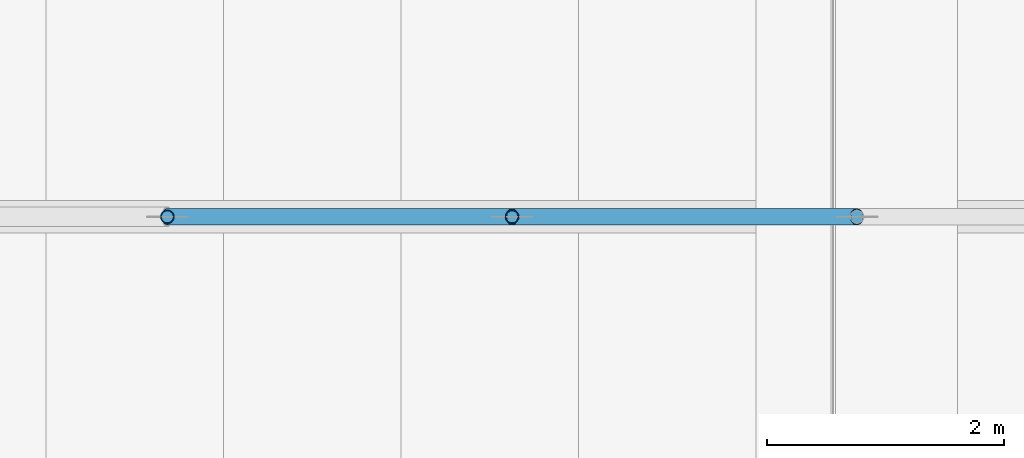
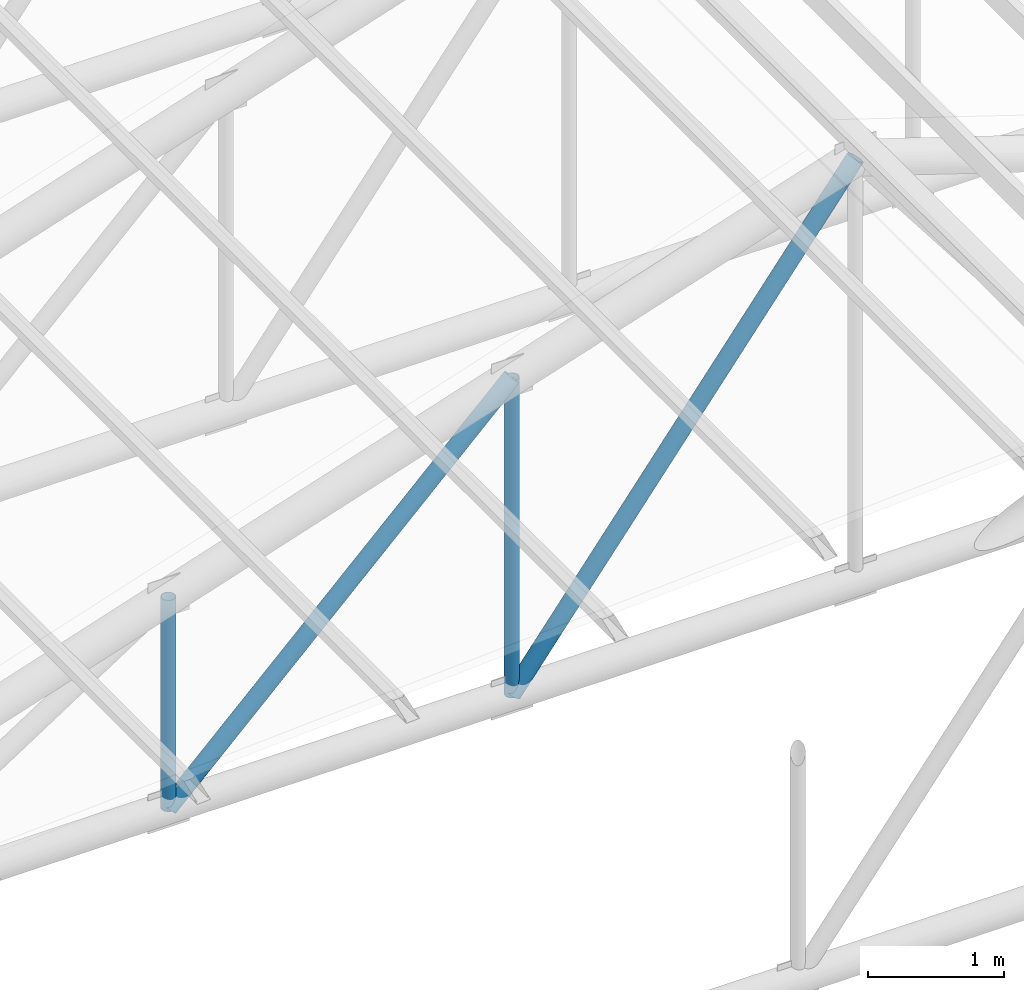
# One storey, part 20 of 95: 4 members.
"""IFC4 building model written with IfcOpenShell, lengths in metres."""

from ifc_helpers import new_model, si_unit, direction, frame, origin, origin_2d, place, context, subcontext, project, spatial, hollow_circle, extrude, material, material_profile, profile_set, type_object, element, save


model = new_model("IFC4")

# Units and contexts
model_context = context("Model", 3, precision=1e-05, world=origin(), true_north=direction((0.0, 1.0)))
body_context = subcontext(model_context, "Body", "Model", "MODEL_VIEW")
ifc_project = project(units=[si_unit("LENGTHUNIT", "METRE"), si_unit("AREAUNIT", "SQUARE_METRE"), si_unit("VOLUMEUNIT", "CUBIC_METRE"), si_unit("PLANEANGLEUNIT", "RADIAN"), si_unit("MASSUNIT", "GRAM", prefix="KILO")], contexts=[model_context])

# Site, building, storey
site_placement = place(None, origin())
site = spatial("IfcSite", under=ifc_project, at=site_placement, CompositionType="ELEMENT")
building_placement = place(site_placement, origin())
building = spatial("IfcBuilding", under=site, at=building_placement, Name="Kiln Court Media Centre", CompositionType="ELEMENT")
storey_placement = place(building_placement, frame((0.0, 0.0, 24.60009765625)))
storey = spatial("IfcBuildingStorey", under=building, at=storey_placement, Name="L05", CompositionType="ELEMENT", Elevation=24.60009765625)

# Members
ifc_material_1 = material(Name="Steel ASTM A500 Gr C", Category="steel")
ifc_material_profile_1 = material_profile(ifc_material_1, hollow_circle(Radius=0.05712890625, WallThickness=0.0048828125, at=origin_2d()), Name="CHS 114.3x5.0")
ifc_profile_set_1 = profile_set([ifc_material_profile_1], Name="Steel ASTM A500 Gr C")
member_type_1 = type_object("IfcMemberType", Name="Steel ASTM A500 Gr C CHS 114.3x5.0 truss web", PredefinedType="BRACE", material=ifc_profile_set_1)
member_1_placement = place(storey_placement, frame((40.574951171875, 42.0, -0.013916015625), z_axis=(0.0, 0.0, 1.0), x_axis=(1.0, 0.0, 0.0)))
element("IfcMember", 1, at=member_1_placement, inside=storey, type_object=member_type_1, Name="foyer truss FT-05 post 2 truss web", PredefinedType="BRACE", context=body_context, shape_type="SweptSolid", body=[
    extrude(hollow_circle(Radius=0.05712890625, WallThickness=0.0048828125, at=origin_2d()), origin(), (0.0, 0.0, 1.0), 1.892822265625),
])
member_2_placement = place(storey_placement, frame((43.487548828125, 42.0, -0.013916015625), z_axis=(0.0, 0.0, 1.0), x_axis=(1.0, 0.0, 0.0)))
element("IfcMember", 2, at=member_2_placement, inside=storey, type_object=member_type_1, Name="foyer truss FT-05 post 3 truss web", PredefinedType="BRACE", context=body_context, shape_type="SweptSolid", body=[
    extrude(hollow_circle(Radius=0.05712890625, WallThickness=0.0048828125, at=origin_2d()), origin(), (0.0, 0.0, 1.0), 2.839111328125),
])
ifc_material_2 = material(Name="Steel ASTM A500 Gr C", Category="steel")
ifc_material_profile_2 = material_profile(ifc_material_2, hollow_circle(Radius=0.06982421875, WallThickness=0.0048828125, at=origin_2d()), Name="CHS 139.7x5.0")
ifc_profile_set_2 = profile_set([ifc_material_profile_2], Name="Steel ASTM A500 Gr C")
member_type_2 = type_object("IfcMemberType", Name="Steel ASTM A500 Gr C CHS 139.7x5.0 truss web", PredefinedType="BRACE", material=ifc_profile_set_2)
member_3_placement = place(storey_placement, frame((40.574951171875, 42.0, -0.013916015625), z_axis=(0.716082640751, 0.0, 0.69801550958), x_axis=(0.0, 1.0, 0.0)))
element("IfcMember", 3, at=member_3_placement, inside=storey, type_object=member_type_2, Name="foyer truss FT-05 diagonal 3 truss web", PredefinedType="BRACE", context=body_context, shape_type="SweptSolid", body=[
    extrude(hollow_circle(Radius=0.06982421875, WallThickness=0.0048828125, at=origin_2d()), origin(), (0.0, 0.0, 1.0), 4.0673828125),
])
member_4_placement = place(storey_placement, frame((43.487548828125, 42.0, -0.013916015625), z_axis=(0.609777458127, 0.0, 0.79257267904), x_axis=(0.0, 1.0, 0.0)))
element("IfcMember", 4, at=member_4_placement, inside=storey, type_object=member_type_2, Name="foyer truss FT-05 diagonal 4 truss web", PredefinedType="BRACE", context=body_context, shape_type="SweptSolid", body=[
    extrude(hollow_circle(Radius=0.06982421875, WallThickness=0.0048828125, at=origin_2d()), origin(), (0.0, 0.0, 1.0), 4.776123046875),
])

save(model, "model.ifc")
